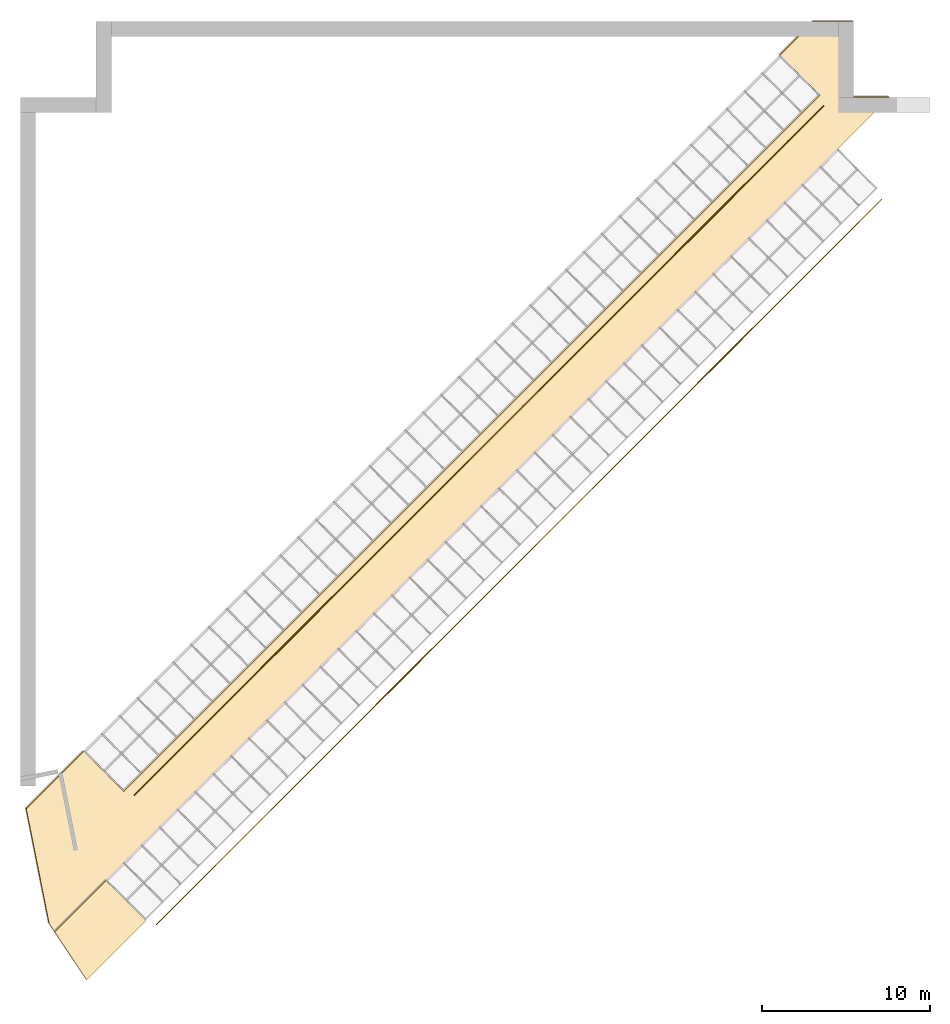
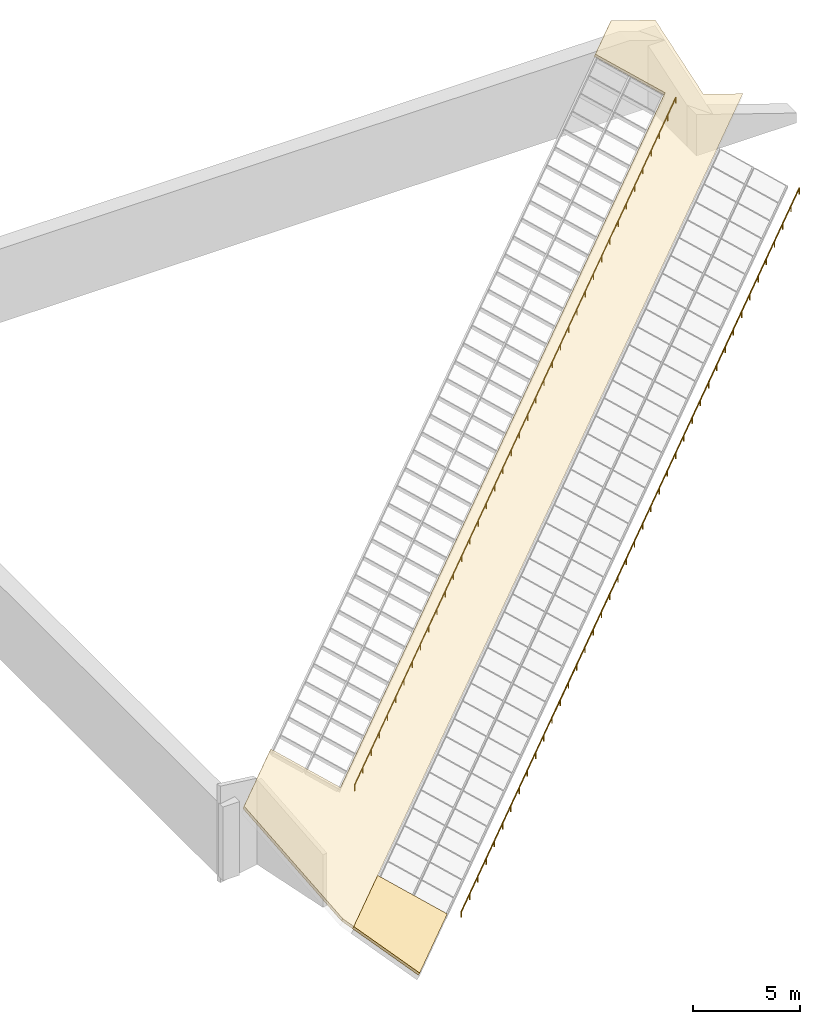
# One storey, part 7 of 7: 2 coverings, 2 railings.
"""IFC4 building model written with IfcOpenShell, lengths in metres."""

from ifc_helpers import new_model, si_unit, direction, frame, origin, origin_2d, place, context, subcontext, project, spatial, polyline, circle, outline, extrude, material, layer, layer_set, type_object, element, save


model = new_model("IFC4")

# Units and contexts
model_context = context("Model", 3, precision=1e-05, world=origin(), true_north=direction((0.0, 1.0)))
body_context = subcontext(model_context, "Body", "Model", "MODEL_VIEW")
ifc_project = project(units=[si_unit("LENGTHUNIT", "METRE"), si_unit("AREAUNIT", "SQUARE_METRE"), si_unit("VOLUMEUNIT", "CUBIC_METRE"), si_unit("PLANEANGLEUNIT", "RADIAN"), si_unit("MASSUNIT", "GRAM", prefix="KILO")], contexts=[model_context])

# Site, building, storey
site_placement = place(None, origin())
site = spatial("IfcSite", under=ifc_project, at=site_placement, CompositionType="ELEMENT")
building_placement = place(site_placement, origin())
building = spatial("IfcBuilding", under=site, at=building_placement, Name="Hunhe Ridgeline Campus", CompositionType="ELEMENT")
storey_placement = place(building_placement, frame((0.0, 0.0, 315.60009765625)))
storey = spatial("IfcBuildingStorey", under=building, at=storey_placement, Name="L81 Crown", CompositionType="ELEMENT", Elevation=315.60009765625)

# Coverings
ifc_material_1 = material(Name="Bituminous roofing membrane on mineral wool")
ifc_layer = layer(ifc_material_1, 0.14990234375)
ifc_layer_set = layer_set([ifc_layer], Name="Roof insulation and membrane 150")
covering_type = type_object("IfcCoveringType", Name="Roof insulation and membrane 150", PredefinedType="ROOFING", material=ifc_layer_set)
covering_1_placement = place(storey_placement, frame((7.455810546875, 45.5771484375, 0.3642578125), z_axis=(0.301536663699, -0.301536663699, 0.904517153453), x_axis=(-0.639590212906, 0.639590212906, 0.426437239355)))
element("IfcCovering", 1, at=covering_1_placement, inside=storey, type_object=covering_type, Name="Roof insulation and membrane 5", PredefinedType="ROOFING", context=body_context, shape_type="SweptSolid", body=[
    extrude(outline(polyline([(0.0, 0.0), (3.719040819224616, 0.0), (3.719040819224616, 4.305824545008512), (0.0, 4.974951958064924), (0.0, 0.0)])), origin(), (0.0, 0.0, -1.0), 0.14990234375),
])
covering_2_placement = place(storey_placement, frame((1.712646484375, 45.3896484375, 2.21630859375), z_axis=(0.301527932146, -0.301525845894, 0.904523670444), x_axis=(0.504369042889, -0.754632031369, -0.419693180558)))
element("IfcCovering", 2, at=covering_2_placement, inside=storey, type_object=covering_type, Name="Roof insulation and membrane 6", PredefinedType="ROOFING", context=body_context, shape_type="SweptSolid", body=[
    extrude(outline(polyline([(0.0, 0.0), (0.6340985826358307, 3.122502256758253e-17), (-11.77615951503969, 69.02243832129814), (-13.142832870645147, 67.25264410719562), (-17.16821678264286, 69.76188390332936), (-18.700743890875664, 67.77739567436154), (-18.20113440435224, 64.99870527994035), (-14.540891563966003, 65.65681819853859), (-4.188397955047288, 8.079981745055877), (-7.848948168742664, 7.42181356085185), (-6.99612232981003, 2.679513469630661), (0.0, 0.0)])), origin(), (0.0, 0.0, -1.0), 0.14990234375),
])

# Railings
ifc_material_2 = material(Name="Steel Q355", Category="steel")
railing_type = type_object("IfcRailingType", Name="Snow guard 350 Steel Q355", PredefinedType="USERDEFINED", material=ifc_material_2)
railing_1_placement = place(storey_placement, frame((51.155029296875, 88.427734375, 0.081298828125)))
element("IfcRailing", 3, at=railing_1_placement, inside=storey, type_object=railing_type, Name="Snow guard 3", ObjectType="SNOW GUARD", PredefinedType="USERDEFINED", context=body_context, shape_type="SweptSolid", body=[
    extrude(circle(Radius=0.02392578125, at=origin_2d()), frame((0.0, 0.0, 0.326171875), z_axis=(-0.707106781187, -0.707106781187, 0.0), x_axis=(0.707106781187, -0.707106781187, 0.0)), (0.0, 0.0, 1.0), 60.89990234375),
    extrude(circle(Radius=0.02099609375, at=origin_2d()), origin(), (0.0, 0.0, 1.0), 0.302001953125),
    extrude(circle(Radius=0.02099609375, at=origin_2d()), frame((-1.05029296875, -1.05029296875, 0.0)), (0.0, 0.0, 1.0), 0.302001953125),
    extrude(circle(Radius=0.02099609375, at=origin_2d()), frame((-2.1005859375, -2.1005859375, 0.0)), (0.0, 0.0, 1.0), 0.302001953125),
    extrude(circle(Radius=0.02099609375, at=origin_2d()), frame((-3.15087890625, -3.15087890625, 0.0)), (0.0, 0.0, 1.0), 0.302001953125),
    extrude(circle(Radius=0.02099609375, at=origin_2d()), frame((-4.201171875, -4.201171875, 0.0)), (0.0, 0.0, 1.0), 0.302001953125),
    extrude(circle(Radius=0.02099609375, at=origin_2d()), frame((-5.25146484375, -5.25146484375, 0.0)), (0.0, 0.0, 1.0), 0.302001953125),
    extrude(circle(Radius=0.02099609375, at=origin_2d()), frame((-6.3017578125, -6.3017578125, 0.0)), (0.0, 0.0, 1.0), 0.302001953125),
    extrude(circle(Radius=0.02099609375, at=origin_2d()), frame((-7.352294921875, -7.352294921875, 0.0)), (0.0, 0.0, 1.0), 0.302001953125),
    extrude(circle(Radius=0.02099609375, at=origin_2d()), frame((-8.402587890625, -8.402587890625, 0.0)), (0.0, 0.0, 1.0), 0.302001953125),
    extrude(circle(Radius=0.02099609375, at=origin_2d()), frame((-9.452880859375, -9.452880859375, 0.0)), (0.0, 0.0, 1.0), 0.302001953125),
    extrude(circle(Radius=0.02099609375, at=origin_2d()), frame((-10.503173828125, -10.503173828125, 0.0)), (0.0, 0.0, 1.0), 0.302001953125),
    extrude(circle(Radius=0.02099609375, at=origin_2d()), frame((-11.553466796875, -11.553466796875, 0.0)), (0.0, 0.0, 1.0), 0.302001953125),
    extrude(circle(Radius=0.02099609375, at=origin_2d()), frame((-12.603759765625, -12.603759765625, 0.0)), (0.0, 0.0, 1.0), 0.302001953125),
    extrude(circle(Radius=0.02099609375, at=origin_2d()), frame((-13.654052734375, -13.654052734375, 0.0)), (0.0, 0.0, 1.0), 0.302001953125),
    extrude(circle(Radius=0.02099609375, at=origin_2d()), frame((-14.704345703125, -14.704345703125, 0.0)), (0.0, 0.0, 1.0), 0.302001953125),
    extrude(circle(Radius=0.02099609375, at=origin_2d()), frame((-15.754638671875, -15.754638671875, 0.0)), (0.0, 0.0, 1.0), 0.302001953125),
    extrude(circle(Radius=0.02099609375, at=origin_2d()), frame((-16.804931640625, -16.804931640625, 0.0)), (0.0, 0.0, 1.0), 0.302001953125),
    extrude(circle(Radius=0.02099609375, at=origin_2d()), frame((-17.855224609375, -17.855224609375, 0.0)), (0.0, 0.0, 1.0), 0.302001953125),
    extrude(circle(Radius=0.02099609375, at=origin_2d()), frame((-18.905517578125, -18.905517578125, 0.0)), (0.0, 0.0, 1.0), 0.302001953125),
    extrude(circle(Radius=0.02099609375, at=origin_2d()), frame((-19.955810546875, -19.955810546875, 0.0)), (0.0, 0.0, 1.0), 0.302001953125),
    extrude(circle(Radius=0.02099609375, at=origin_2d()), frame((-21.006103515625, -21.006103515625, 0.0)), (0.0, 0.0, 1.0), 0.302001953125),
    extrude(circle(Radius=0.02099609375, at=origin_2d()), frame((-22.056640625, -22.056640625, 0.0)), (0.0, 0.0, 1.0), 0.302001953125),
    extrude(circle(Radius=0.02099609375, at=origin_2d()), frame((-23.10693359375, -23.10693359375, 0.0)), (0.0, 0.0, 1.0), 0.302001953125),
    extrude(circle(Radius=0.02099609375, at=origin_2d()), frame((-24.1572265625, -24.1572265625, 0.0)), (0.0, 0.0, 1.0), 0.302001953125),
    extrude(circle(Radius=0.02099609375, at=origin_2d()), frame((-25.20751953125, -25.20751953125, 0.0)), (0.0, 0.0, 1.0), 0.302001953125),
    extrude(circle(Radius=0.02099609375, at=origin_2d()), frame((-26.2578125, -26.2578125, 0.0)), (0.0, 0.0, 1.0), 0.302001953125),
    extrude(circle(Radius=0.02099609375, at=origin_2d()), frame((-27.30810546875, -27.30810546875, 0.0)), (0.0, 0.0, 1.0), 0.302001953125),
    extrude(circle(Radius=0.02099609375, at=origin_2d()), frame((-28.3583984375, -28.3583984375, 0.0)), (0.0, 0.0, 1.0), 0.302001953125),
    extrude(circle(Radius=0.02099609375, at=origin_2d()), frame((-29.40869140625, -29.40869140625, 0.0)), (0.0, 0.0, 1.0), 0.302001953125),
    extrude(circle(Radius=0.02099609375, at=origin_2d()), frame((-30.458984375, -30.458984375, 0.0)), (0.0, 0.0, 1.0), 0.302001953125),
    extrude(circle(Radius=0.02099609375, at=origin_2d()), frame((-31.50927734375, -31.50927734375, 0.0)), (0.0, 0.0, 1.0), 0.302001953125),
    extrude(circle(Radius=0.02099609375, at=origin_2d()), frame((-32.5595703125, -32.5595703125, 0.0)), (0.0, 0.0, 1.0), 0.302001953125),
    extrude(circle(Radius=0.02099609375, at=origin_2d()), frame((-33.60986328125, -33.60986328125, 0.0)), (0.0, 0.0, 1.0), 0.302001953125),
    extrude(circle(Radius=0.02099609375, at=origin_2d()), frame((-34.66015625, -34.66015625, 0.0)), (0.0, 0.0, 1.0), 0.302001953125),
    extrude(circle(Radius=0.02099609375, at=origin_2d()), frame((-35.71044921875, -35.71044921875, 0.0)), (0.0, 0.0, 1.0), 0.302001953125),
    extrude(circle(Radius=0.02099609375, at=origin_2d()), frame((-36.760986328125, -36.760986328125, 0.0)), (0.0, 0.0, 1.0), 0.302001953125),
    extrude(circle(Radius=0.02099609375, at=origin_2d()), frame((-37.811279296875, -37.811279296875, 0.0)), (0.0, 0.0, 1.0), 0.302001953125),
    extrude(circle(Radius=0.02099609375, at=origin_2d()), frame((-38.861572265625, -38.861572265625, 0.0)), (0.0, 0.0, 1.0), 0.302001953125),
    extrude(circle(Radius=0.02099609375, at=origin_2d()), frame((-39.911865234375, -39.911865234375, 0.0)), (0.0, 0.0, 1.0), 0.302001953125),
    extrude(circle(Radius=0.02099609375, at=origin_2d()), frame((-40.962158203125, -40.962158203125, 0.0)), (0.0, 0.0, 1.0), 0.302001953125),
    extrude(circle(Radius=0.02099609375, at=origin_2d()), frame((-42.012451171875, -42.012451171875, 0.0)), (0.0, 0.0, 1.0), 0.302001953125),
    extrude(circle(Radius=0.02099609375, at=origin_2d()), frame((-43.062744140625, -43.062744140625, 0.0)), (0.0, 0.0, 1.0), 0.302001953125),
])
railing_2_placement = place(storey_placement, frame((47.7158203125, 93.988525390625, 3.08154296875)))
element("IfcRailing", 4, at=railing_2_placement, inside=storey, type_object=railing_type, Name="Snow guard 4", ObjectType="SNOW GUARD", PredefinedType="USERDEFINED", context=body_context, shape_type="SweptSolid", body=[
    extrude(circle(Radius=0.02392578125, at=origin_2d()), frame((0.0, 0.0, 0.326171875), z_axis=(-0.707108889477, -0.70710467289, 0.0), x_axis=(0.70710467289, -0.707108889477, 0.0)), (0.0, 0.0, 1.0), 57.900146484375),
    extrude(circle(Radius=0.02099609375, at=origin_2d()), origin(), (0.0, 0.0, 1.0), 0.302001953125),
    extrude(circle(Radius=0.02099609375, at=origin_2d()), frame((-1.0498046875, -1.0498046875, 0.0)), (0.0, 0.0, 1.0), 0.302001953125),
    extrude(circle(Radius=0.02099609375, at=origin_2d()), frame((-2.099609375, -2.099609375, 0.0)), (0.0, 0.0, 1.0), 0.302001953125),
    extrude(circle(Radius=0.02099609375, at=origin_2d()), frame((-3.1494140625, -3.1494140625, 0.0)), (0.0, 0.0, 1.0), 0.302001953125),
    extrude(circle(Radius=0.02099609375, at=origin_2d()), frame((-4.19921875, -4.19921875, 0.0)), (0.0, 0.0, 1.0), 0.302001953125),
    extrude(circle(Radius=0.02099609375, at=origin_2d()), frame((-5.2490234375, -5.248779296875, 0.0)), (0.0, 0.0, 1.0), 0.302001953125),
    extrude(circle(Radius=0.02099609375, at=origin_2d()), frame((-6.298828125, -6.298583984375, 0.0)), (0.0, 0.0, 1.0), 0.302001953125),
    extrude(circle(Radius=0.02099609375, at=origin_2d()), frame((-7.348388671875, -7.348388671875, 0.0)), (0.0, 0.0, 1.0), 0.302001953125),
    extrude(circle(Radius=0.02099609375, at=origin_2d()), frame((-8.398193359375, -8.398193359375, 0.0)), (0.0, 0.0, 1.0), 0.302001953125),
    extrude(circle(Radius=0.02099609375, at=origin_2d()), frame((-9.447998046875, -9.447998046875, 0.0)), (0.0, 0.0, 1.0), 0.302001953125),
    extrude(circle(Radius=0.02099609375, at=origin_2d()), frame((-10.497802734375, -10.497802734375, 0.0)), (0.0, 0.0, 1.0), 0.302001953125),
    extrude(circle(Radius=0.02099609375, at=origin_2d()), frame((-11.547607421875, -11.547607421875, 0.0)), (0.0, 0.0, 1.0), 0.302001953125),
    extrude(circle(Radius=0.02099609375, at=origin_2d()), frame((-12.597412109375, -12.597412109375, 0.0)), (0.0, 0.0, 1.0), 0.302001953125),
    extrude(circle(Radius=0.02099609375, at=origin_2d()), frame((-13.647216796875, -13.647216796875, 0.0)), (0.0, 0.0, 1.0), 0.302001953125),
    extrude(circle(Radius=0.02099609375, at=origin_2d()), frame((-14.697021484375, -14.697021484375, 0.0)), (0.0, 0.0, 1.0), 0.302001953125),
    extrude(circle(Radius=0.02099609375, at=origin_2d()), frame((-15.746826171875, -15.74658203125, 0.0)), (0.0, 0.0, 1.0), 0.302001953125),
    extrude(circle(Radius=0.02099609375, at=origin_2d()), frame((-16.796630859375, -16.79638671875, 0.0)), (0.0, 0.0, 1.0), 0.302001953125),
    extrude(circle(Radius=0.02099609375, at=origin_2d()), frame((-17.846435546875, -17.84619140625, 0.0)), (0.0, 0.0, 1.0), 0.302001953125),
    extrude(circle(Radius=0.02099609375, at=origin_2d()), frame((-18.896240234375, -18.89599609375, 0.0)), (0.0, 0.0, 1.0), 0.302001953125),
    extrude(circle(Radius=0.02099609375, at=origin_2d()), frame((-19.946044921875, -19.94580078125, 0.0)), (0.0, 0.0, 1.0), 0.302001953125),
    extrude(circle(Radius=0.02099609375, at=origin_2d()), frame((-20.99560546875, -20.99560546875, 0.0)), (0.0, 0.0, 1.0), 0.302001953125),
    extrude(circle(Radius=0.02099609375, at=origin_2d()), frame((-22.04541015625, -22.04541015625, 0.0)), (0.0, 0.0, 1.0), 0.302001953125),
    extrude(circle(Radius=0.02099609375, at=origin_2d()), frame((-23.09521484375, -23.09521484375, 0.0)), (0.0, 0.0, 1.0), 0.302001953125),
    extrude(circle(Radius=0.02099609375, at=origin_2d()), frame((-24.14501953125, -24.14501953125, 0.0)), (0.0, 0.0, 1.0), 0.302001953125),
    extrude(circle(Radius=0.02099609375, at=origin_2d()), frame((-25.19482421875, -25.19482421875, 0.0)), (0.0, 0.0, 1.0), 0.302001953125),
    extrude(circle(Radius=0.02099609375, at=origin_2d()), frame((-26.24462890625, -26.244384765625, 0.0)), (0.0, 0.0, 1.0), 0.302001953125),
    extrude(circle(Radius=0.02099609375, at=origin_2d()), frame((-27.29443359375, -27.294189453125, 0.0)), (0.0, 0.0, 1.0), 0.302001953125),
    extrude(circle(Radius=0.02099609375, at=origin_2d()), frame((-28.34423828125, -28.343994140625, 0.0)), (0.0, 0.0, 1.0), 0.302001953125),
    extrude(circle(Radius=0.02099609375, at=origin_2d()), frame((-29.39404296875, -29.393798828125, 0.0)), (0.0, 0.0, 1.0), 0.302001953125),
    extrude(circle(Radius=0.02099609375, at=origin_2d()), frame((-30.44384765625, -30.443603515625, 0.0)), (0.0, 0.0, 1.0), 0.302001953125),
    extrude(circle(Radius=0.02099609375, at=origin_2d()), frame((-31.49365234375, -31.493408203125, 0.0)), (0.0, 0.0, 1.0), 0.302001953125),
    extrude(circle(Radius=0.02099609375, at=origin_2d()), frame((-32.54345703125, -32.543212890625, 0.0)), (0.0, 0.0, 1.0), 0.302001953125),
    extrude(circle(Radius=0.02099609375, at=origin_2d()), frame((-33.59326171875, -33.593017578125, 0.0)), (0.0, 0.0, 1.0), 0.302001953125),
    extrude(circle(Radius=0.02099609375, at=origin_2d()), frame((-34.642822265625, -34.642822265625, 0.0)), (0.0, 0.0, 1.0), 0.302001953125),
    extrude(circle(Radius=0.02099609375, at=origin_2d()), frame((-35.692626953125, -35.692626953125, 0.0)), (0.0, 0.0, 1.0), 0.302001953125),
    extrude(circle(Radius=0.02099609375, at=origin_2d()), frame((-36.742431640625, -36.7421875, 0.0)), (0.0, 0.0, 1.0), 0.302001953125),
    extrude(circle(Radius=0.02099609375, at=origin_2d()), frame((-37.792236328125, -37.7919921875, 0.0)), (0.0, 0.0, 1.0), 0.302001953125),
    extrude(circle(Radius=0.02099609375, at=origin_2d()), frame((-38.842041015625, -38.841796875, 0.0)), (0.0, 0.0, 1.0), 0.302001953125),
    extrude(circle(Radius=0.02099609375, at=origin_2d()), frame((-39.891845703125, -39.8916015625, 0.0)), (0.0, 0.0, 1.0), 0.302001953125),
    extrude(circle(Radius=0.02099609375, at=origin_2d()), frame((-40.941650390625, -40.94140625, 0.0)), (0.0, 0.0, 1.0), 0.302001953125),
])

save(model, "model.ifc")
